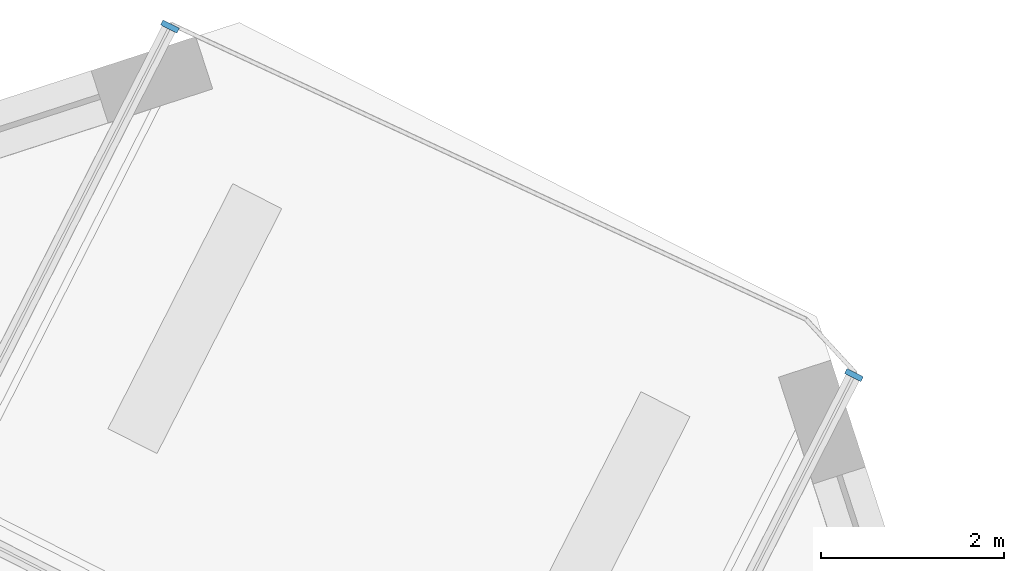
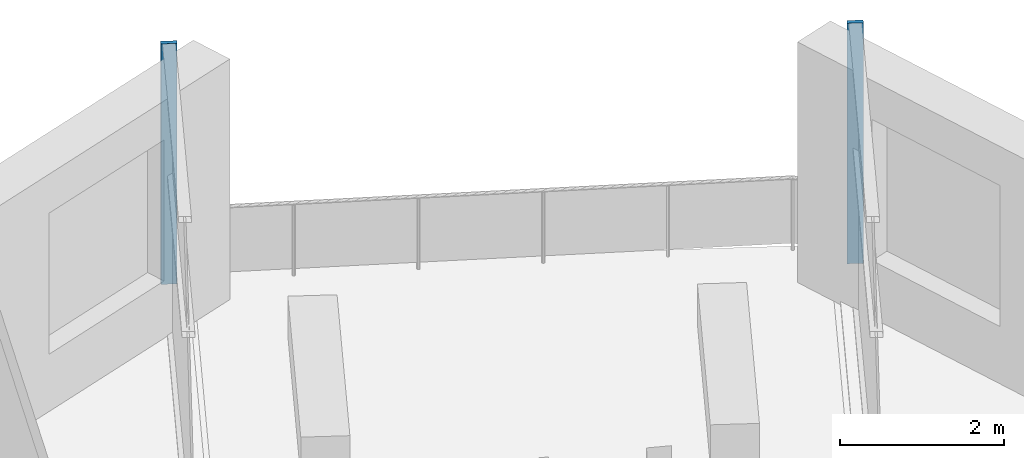
# One storey, part 4 of 12: 2 members, 2 elements without a shape of their own.
"""IFC4 building model written with IfcOpenShell, lengths in metres."""

from ifc_helpers import new_model, si_unit, direction, frame, origin, origin_2d, place, context, subcontext, project, spatial, rectangle, extrude, material, material_profile, profile_set, type_object, element, aggregate, save


model = new_model("IFC4")

# Units and contexts
model_context = context("Model", 3, precision=1e-05, world=origin(), true_north=direction((0.0, 1.0)))
body_context = subcontext(model_context, "Body", "Model", "MODEL_VIEW")
ifc_project = project(units=[si_unit("LENGTHUNIT", "METRE"), si_unit("AREAUNIT", "SQUARE_METRE"), si_unit("VOLUMEUNIT", "CUBIC_METRE"), si_unit("PLANEANGLEUNIT", "RADIAN"), si_unit("MASSUNIT", "GRAM", prefix="KILO")], contexts=[model_context])

# Site, building, storey
site_placement = place(None, origin())
site = spatial("IfcSite", under=ifc_project, at=site_placement, CompositionType="ELEMENT")
building_placement = place(site_placement, origin())
building = spatial("IfcBuilding", under=site, at=building_placement, Name="Dilmun Exchange Tower", CompositionType="ELEMENT")
storey_placement = place(building_placement, frame((0.0, 0.0, 94.10009765625)))
storey = spatial("IfcBuildingStorey", under=building, at=storey_placement, Name="L21", CompositionType="ELEMENT", Elevation=94.10009765625)

# Curtain wall, member
ifc_material_1 = material(Name="Anodised aluminium and clear glass", Category="aluminium")
curtain_wall_type = type_object("IfcCurtainWallType", Name="Garden corner glazing", PredefinedType="NOTDEFINED", material=ifc_material_1)
curtain_wall_1_placement = place(storey_placement, origin())
curtain_wall_1 = element("IfcCurtainWall", 1, at=curtain_wall_1_placement, inside=storey, type_object=curtain_wall_type, Name="Garden corner glazing run GC1.1", PredefinedType="NOTDEFINED")
ifc_material_2 = material(Name="Anodised aluminium", Category="aluminium")
ifc_material_profile = material_profile(ifc_material_2, rectangle(XDim=0.199951171875, YDim=0.06005859375, at=origin_2d()), Name="AL 60x200")
ifc_profile_set = profile_set([ifc_material_profile], Name="Anodised aluminium")
member_type = type_object("IfcMemberType", Name="Garden corner glazing mullion 60 x 200", PredefinedType="MULLION", material=ifc_profile_set)
member_1_placement = place(storey_placement, frame((21.83251953125, 30.50634765625, 0.0), z_axis=(0.0, 0.0, 1.0), x_axis=(0.891007485315, -0.453988613418, 0.0)))
member_1 = element("IfcMember", 2, at=member_1_placement, type_object=member_type, Name="GC1.1 mullion 1", PredefinedType="MULLION", context=body_context, shape_type="SweptSolid", body=[
    extrude(rectangle(XDim=0.199951171875, YDim=0.06005859375, at=origin_2d()), origin(), (0.0, 0.0, 1.0), 3.579833984375),
])
aggregate(curtain_wall_1, [member_1])

curtain_wall_2_placement = place(storey_placement, origin())
curtain_wall_2 = element("IfcCurtainWall", 3, at=curtain_wall_2_placement, inside=storey, type_object=curtain_wall_type, Name="Garden corner glazing run GC3.1", PredefinedType="NOTDEFINED")
member_2_placement = place(storey_placement, frame((14.367431640625, 34.31005859375, 0.0), z_axis=(0.0, 0.0, 1.0), x_axis=(-0.891007485315, 0.453988613418, 0.0)))
member_2 = element("IfcMember", 4, at=member_2_placement, type_object=member_type, Name="GC3.1 mullion 2", PredefinedType="MULLION", context=body_context, shape_type="SweptSolid", body=[
    extrude(rectangle(XDim=0.199951171875, YDim=0.06005859375, at=origin_2d()), origin(), (0.0, 0.0, 1.0), 3.579833984375),
])
aggregate(curtain_wall_2, [member_2])

save(model, "model.ifc")
